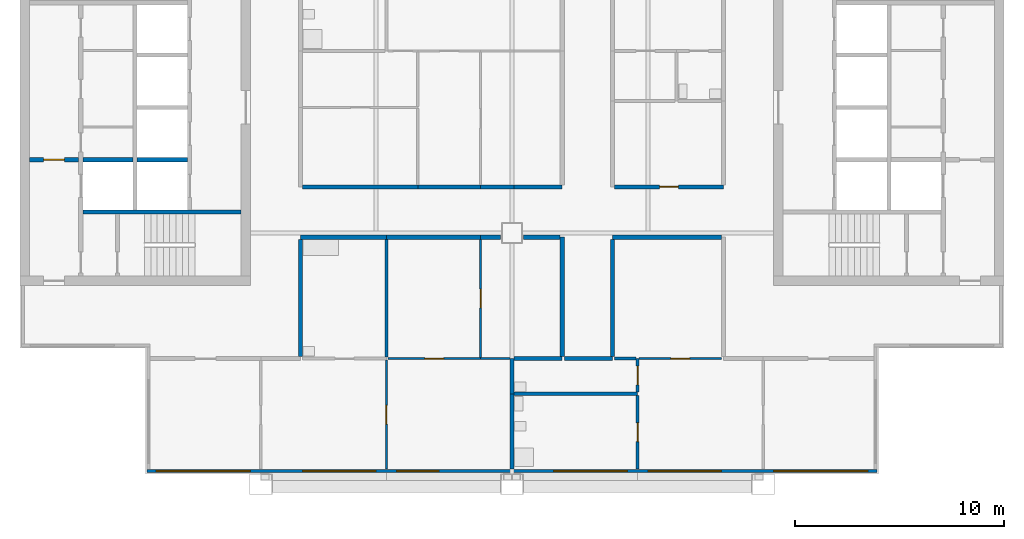
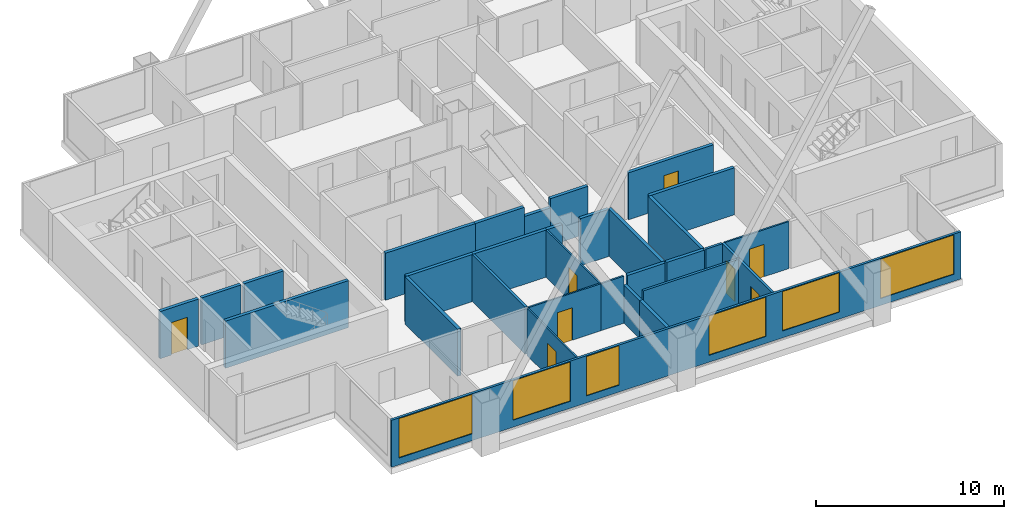
# One storey, part 2 of 9: 32 walls, 8 doors, 6 windows, 14 openings.
"""IFC4 building model written with IfcOpenShell, lengths in metres."""

from ifc_helpers import new_model, si_unit, direction, frame, frame_2d, origin, place, context, subcontext, project, spatial, rectangle, extrude, material, layer, layer_set, type_object, element, fill, save


model = new_model("IFC4")

# Units and contexts
model_context = context("Model", 3, precision=1e-05, world=origin(), true_north=direction((0.0, 1.0)))
body_context = subcontext(model_context, "Body", "Model", "MODEL_VIEW")
ifc_project = project(units=[si_unit("LENGTHUNIT", "METRE"), si_unit("AREAUNIT", "SQUARE_METRE"), si_unit("VOLUMEUNIT", "CUBIC_METRE"), si_unit("PLANEANGLEUNIT", "RADIAN"), si_unit("MASSUNIT", "GRAM", prefix="KILO")], contexts=[model_context])

# Site, building, storey
site_placement = place(None, origin())
site = spatial("IfcSite", under=ifc_project, at=site_placement, CompositionType="ELEMENT")
building_placement = place(site_placement, origin())
building = spatial("IfcBuilding", under=site, at=building_placement, Name="Kitamizu Gate Tower and Museum", CompositionType="ELEMENT")
storey_placement = place(building_placement, frame((0.0, 0.0, 217.949951171875)))
storey = spatial("IfcBuildingStorey", under=building, at=storey_placement, Name="L58", CompositionType="ELEMENT", Elevation=217.949951171875)

# Wall, opening, door
ifc_material_1 = material(Name="Gypsum board on galvanised stud")
ifc_layer_1 = layer(ifc_material_1, 0.10009765625)
ifc_layer_set_1 = layer_set([ifc_layer_1], Name="Gypsum board on galvanised stud")
wall_type_1 = type_object("IfcWallType", Name="Partition 100 NOT RATED", PredefinedType="PARTITIONING", material=ifc_layer_set_1)
wall_1_placement = place(storey_placement, frame((30.0, 12.719970703125, 0.0), z_axis=(0.0, 0.0, 1.0), x_axis=(0.0, 1.0, 0.0)))
wall_1 = element("IfcWall", 1, at=wall_1_placement, inside=storey, type_object=wall_type_1, Name="Partition L58-003", PredefinedType="PARTITIONING", context=body_context, shape_type="SweptSolid", body=[
    extrude(rectangle(XDim=5.205078125, YDim=0.10009765625, at=frame_2d((2.6025390625, 0.0))), origin(), (0.0, 0.0, 1.0), 3.050048828125),
])
opening_1_placement = place(wall_1_placement, frame((2.152587890625, 0.0, 0.0)))
opening_1 = element("IfcOpeningElement", 2, at=opening_1_placement, cuts=wall_1, Name="Opening L58-003", PredefinedType="OPENING", context=body_context, shape_type="SweptSolid", body=[
    extrude(rectangle(XDim=0.89990234375, YDim=2.10009765625, at=frame_2d((0.449951171875, 1.050048828125))), frame((0.0, 0.06005859375, 0.0), z_axis=(0.0, -1.0, 0.0), x_axis=(1.0, 0.0, 0.0)), (0.0, 0.0, 1.0), 0.1201171875),
])
ifc_material_2 = material(Name="Timber door set", Category="wood")
door_type_1 = type_object("IfcDoorType", Name="Room door 900", OperationType="NOTDEFINED", PredefinedType="DOOR", material=ifc_material_2)
door_1_placement = place(opening_1_placement, origin())
door_1 = element("IfcDoor", 3, at=door_1_placement, inside=storey, type_object=door_type_1, Name="Door L58-003", OperationType="SINGLE_SWING_RIGHT", OverallHeight=2.10009765625, OverallWidth=0.89990234375, PredefinedType="DOOR", context=body_context, shape_type="SweptSolid", body=[
    extrude(rectangle(XDim=0.89990234375, YDim=2.10009765625, at=frame_2d((0.449951171875, 1.050048828125))), frame((0.0, 0.02490234375, 0.0), z_axis=(0.0, -1.0, 0.0), x_axis=(1.0, 0.0, 0.0)), (0.0, 0.0, 1.0), 0.050048828125),
])
fill(opening_1, door_1)

wall_2_placement = place(storey_placement, frame((34.5, 18.0, 0.0), z_axis=(0.0, 0.0, 1.0), x_axis=(-1.0, 0.0, 0.0)))
wall_2 = element("IfcWall", 4, at=wall_2_placement, inside=storey, type_object=wall_type_1, Name="Partition L58-006", PredefinedType="PARTITIONING", context=body_context, shape_type="SweptSolid", body=[
    extrude(rectangle(XDim=4.425048828125, YDim=0.10009765625, at=frame_2d((2.21240234375, 0.0))), origin(), (0.0, 0.0, 1.0), 3.050048828125),
])
opening_2_placement = place(wall_2_placement, frame((1.762451171875, 0.0, 0.0)))
opening_2 = element("IfcOpeningElement", 5, at=opening_2_placement, cuts=wall_2, Name="Opening L58-005", PredefinedType="OPENING", context=body_context, shape_type="SweptSolid", body=[
    extrude(rectangle(XDim=0.89990234375, YDim=2.10009765625, at=frame_2d((0.449951171875, 1.050048828125))), frame((0.0, 0.06005859375, 0.0), z_axis=(0.0, -1.0, 0.0), x_axis=(1.0, 0.0, 0.0)), (0.0, 0.0, 1.0), 0.1201171875),
])
door_2_placement = place(opening_2_placement, frame((0.89990234375, 0.0, 0.0), x_axis=(-1.0, 0.0, 0.0)))
door_2 = element("IfcDoor", 6, at=door_2_placement, inside=storey, type_object=door_type_1, Name="Door L58-005", OperationType="SINGLE_SWING_LEFT", OverallHeight=2.10009765625, OverallWidth=0.89990234375, PredefinedType="DOOR", context=body_context, shape_type="SweptSolid", body=[
    extrude(rectangle(XDim=0.89990234375, YDim=2.10009765625, at=frame_2d((0.449951171875, 1.050048828125))), frame((0.0, 0.02490234375, 0.0), z_axis=(0.0, -1.0, 0.0), x_axis=(1.0, 0.0, 0.0)), (0.0, 0.0, 1.0), 0.050048828125),
])
fill(opening_2, door_2)

# Wall
wall_3_placement = place(storey_placement, frame((35.89990234375, 18.0, 0.0), z_axis=(0.0, 0.0, 1.0), x_axis=(-1.0, 0.0, 0.0)))
element("IfcWall", 7, at=wall_3_placement, inside=storey, type_object=wall_type_1, Name="Partition L58-007", PredefinedType="PARTITIONING", context=body_context, shape_type="SweptSolid", body=[
    extrude(rectangle(XDim=1.39990234375, YDim=0.10009765625, at=frame_2d((0.699951171875, 0.0))), origin(), (0.0, 0.0, 1.0), 3.050048828125),
])

# Wall, opening, door
wall_4_placement = place(storey_placement, frame((34.5, 18.050048828125, 0.0), z_axis=(0.0, 0.0, 1.0), x_axis=(0.0, 1.0, 0.0)))
wall_4 = element("IfcWall", 8, at=wall_4_placement, inside=storey, type_object=wall_type_1, Name="Partition L58-013", PredefinedType="PARTITIONING", context=body_context, shape_type="SweptSolid", body=[
    extrude(rectangle(XDim=5.64990234375, YDim=0.10009765625, at=frame_2d((2.824951171875, 0.0))), origin(), (0.0, 0.0, 1.0), 3.050048828125),
])
opening_3_placement = place(wall_4_placement, frame((2.375, 0.0, 0.0)))
opening_3 = element("IfcOpeningElement", 9, at=opening_3_placement, cuts=wall_4, Name="Opening L58-006", PredefinedType="OPENING", context=body_context, shape_type="SweptSolid", body=[
    extrude(rectangle(XDim=0.89990234375, YDim=2.10009765625, at=frame_2d((0.449951171875, 1.050048828125))), frame((0.0, 0.06005859375, 0.0), z_axis=(0.0, -1.0, 0.0), x_axis=(1.0, 0.0, 0.0)), (0.0, 0.0, 1.0), 0.1201171875),
])
door_3_placement = place(opening_3_placement, frame((0.89990234375, 0.0, 0.0), x_axis=(-1.0, 0.0, 0.0)))
door_3 = element("IfcDoor", 10, at=door_3_placement, inside=storey, type_object=door_type_1, Name="Door L58-006", OperationType="SINGLE_SWING_RIGHT", OverallHeight=2.10009765625, OverallWidth=0.89990234375, PredefinedType="DOOR", context=body_context, shape_type="SweptSolid", body=[
    extrude(rectangle(XDim=0.89990234375, YDim=2.10009765625, at=frame_2d((0.449951171875, 1.050048828125))), frame((0.0, 0.02490234375, 0.0), z_axis=(0.0, -1.0, 0.0), x_axis=(1.0, 0.0, 0.0)), (0.0, 0.0, 1.0), 0.050048828125),
])
fill(opening_3, door_3)

wall_5_placement = place(storey_placement, frame((46.0, 18.0, 0.0), z_axis=(0.0, 0.0, 1.0), x_axis=(-1.0, 0.0, 0.0)))
wall_5 = element("IfcWall", 11, at=wall_5_placement, inside=storey, type_object=wall_type_1, Name="Partition L58-025", PredefinedType="PARTITIONING", context=body_context, shape_type="SweptSolid", body=[
    extrude(rectangle(XDim=3.925048828125, YDim=0.10009765625, at=frame_2d((1.96240234375, 0.0))), origin(), (0.0, 0.0, 1.0), 3.050048828125),
])
opening_4_placement = place(wall_5_placement, frame((1.512451171875, 0.0, 0.0)))
opening_4 = element("IfcOpeningElement", 12, at=opening_4_placement, cuts=wall_5, Name="Opening L58-009", PredefinedType="OPENING", context=body_context, shape_type="SweptSolid", body=[
    extrude(rectangle(XDim=0.89990234375, YDim=2.10009765625, at=frame_2d((0.449951171875, 1.050048828125))), frame((0.0, 0.06005859375, 0.0), z_axis=(0.0, -1.0, 0.0), x_axis=(1.0, 0.0, 0.0)), (0.0, 0.0, 1.0), 0.1201171875),
])
door_4_placement = place(opening_4_placement, frame((0.89990234375, 0.0, 0.0), x_axis=(-1.0, 0.0, 0.0)))
door_4 = element("IfcDoor", 13, at=door_4_placement, inside=storey, type_object=door_type_1, Name="Door L58-009", OperationType="SINGLE_SWING_LEFT", OverallHeight=2.10009765625, OverallWidth=0.89990234375, PredefinedType="DOOR", context=body_context, shape_type="SweptSolid", body=[
    extrude(rectangle(XDim=0.89990234375, YDim=2.10009765625, at=frame_2d((0.449951171875, 1.050048828125))), frame((0.0, 0.02490234375, 0.0), z_axis=(0.0, -1.0, 0.0), x_axis=(1.0, 0.0, 0.0)), (0.0, 0.0, 1.0), 0.050048828125),
])
fill(opening_4, door_4)

# Walls
ifc_material_3 = material(Name="Gypsum board on galvanised stud")
ifc_layer_2 = layer(ifc_material_3, 0.14990234375)
ifc_layer_set_2 = layer_set([ifc_layer_2], Name="Gypsum board on galvanised stud")
wall_type_2 = type_object("IfcWallType", Name="Partition 150", PredefinedType="PARTITIONING", material=ifc_layer_set_2)
wall_6_placement = place(storey_placement, frame((30.0, 18.074951171875, 0.0), z_axis=(0.0, 0.0, 1.0), x_axis=(0.0, 1.0, 0.0)))
element("IfcWall", 14, at=wall_6_placement, inside=storey, type_object=wall_type_2, Name="Partition L58-010", PredefinedType="PARTITIONING", context=body_context, shape_type="SweptSolid", body=[
    extrude(rectangle(XDim=5.625, YDim=0.14990234375, at=frame_2d((2.8125, 0.0))), origin(), (0.0, 0.0, 1.0), 3.050048828125),
])
wall_7_placement = place(storey_placement, frame((42.0, 16.320068359375, 0.0), z_axis=(0.0, 0.0, 1.0), x_axis=(-1.0, 0.0, 0.0)))
element("IfcWall", 15, at=wall_7_placement, inside=storey, type_object=wall_type_2, Name="Partition L58-019", PredefinedType="PARTITIONING", context=body_context, shape_type="SweptSolid", body=[
    extrude(rectangle(XDim=5.89990234375, YDim=0.14990234375, at=frame_2d((2.949951171875, 0.0))), origin(), (0.0, 0.0, 1.0), 3.050048828125),
])

# Wall, opening, door
wall_8_placement = place(storey_placement, frame((42.0, 12.719970703125, 0.0), z_axis=(0.0, 0.0, 1.0), x_axis=(0.0, 1.0, 0.0)))
wall_8 = element("IfcWall", 16, at=wall_8_placement, inside=storey, type_object=wall_type_2, Name="Partition L58-020", PredefinedType="PARTITIONING", context=body_context, shape_type="SweptSolid", body=[
    extrude(rectangle(XDim=3.525146484375, YDim=0.14990234375, at=frame_2d((1.7626953125, 0.0))), origin(), (0.0, 0.0, 1.0), 3.050048828125),
])
opening_5_placement = place(wall_8_placement, frame((1.3125, 0.0, 0.0)))
opening_5 = element("IfcOpeningElement", 17, at=opening_5_placement, cuts=wall_8, Name="Opening L58-010", PredefinedType="OPENING", context=body_context, shape_type="SweptSolid", body=[
    extrude(rectangle(XDim=0.89990234375, YDim=2.10009765625, at=frame_2d((0.449951171875, 1.050048828125))), frame((0.0, 0.0849609375, 0.0), z_axis=(0.0, -1.0, 0.0), x_axis=(1.0, 0.0, 0.0)), (0.0, 0.0, 1.0), 0.169921875),
])
ifc_material_4 = material(Name="Timber door set", Category="wood")
door_type_2 = type_object("IfcDoorType", Name="Bathroom door 900", OperationType="NOTDEFINED", PredefinedType="DOOR", material=ifc_material_4)
door_5_placement = place(opening_5_placement, origin())
door_5 = element("IfcDoor", 18, at=door_5_placement, inside=storey, type_object=door_type_2, Name="Bathroom door L58-010", OperationType="SINGLE_SWING_LEFT", OverallHeight=2.10009765625, OverallWidth=0.89990234375, PredefinedType="DOOR", context=body_context, shape_type="SweptSolid", body=[
    extrude(rectangle(XDim=0.89990234375, YDim=2.10009765625, at=frame_2d((0.449951171875, 1.050048828125))), frame((0.0, 0.02490234375, 0.0), z_axis=(0.0, -1.0, 0.0), x_axis=(1.0, 0.0, 0.0)), (0.0, 0.0, 1.0), 0.050048828125),
])
fill(opening_5, door_5)

wall_9_placement = place(storey_placement, frame((42.0, 16.39501953125, 0.0), z_axis=(0.0, 0.0, 1.0), x_axis=(0.0, 1.0, 0.0)))
wall_9 = element("IfcWall", 19, at=wall_9_placement, inside=storey, type_object=wall_type_2, Name="Partition L58-021", PredefinedType="PARTITIONING", context=body_context, shape_type="SweptSolid", body=[
    extrude(rectangle(XDim=1.60498046875, YDim=0.14990234375, at=frame_2d((0.802490234375, 0.0))), origin(), (0.0, 0.0, 1.0), 3.050048828125),
])
opening_6_placement = place(wall_9_placement, frame((0.3525390625, 0.0, 0.0)))
opening_6 = element("IfcOpeningElement", 20, at=opening_6_placement, cuts=wall_9, Name="Opening L58-011", PredefinedType="OPENING", context=body_context, shape_type="SweptSolid", body=[
    extrude(rectangle(XDim=0.89990234375, YDim=2.10009765625, at=frame_2d((0.449951171875, 1.050048828125))), frame((0.0, 0.0849609375, 0.0), z_axis=(0.0, -1.0, 0.0), x_axis=(1.0, 0.0, 0.0)), (0.0, 0.0, 1.0), 0.169921875),
])
door_6_placement = place(opening_6_placement, origin())
door_6 = element("IfcDoor", 21, at=door_6_placement, inside=storey, type_object=door_type_2, Name="Bathroom door L58-011", OperationType="SINGLE_SWING_RIGHT", OverallHeight=2.10009765625, OverallWidth=0.89990234375, PredefinedType="DOOR", context=body_context, shape_type="SweptSolid", body=[
    extrude(rectangle(XDim=0.89990234375, YDim=2.10009765625, at=frame_2d((0.449951171875, 1.050048828125))), frame((0.0, 0.02490234375, 0.0), z_axis=(0.0, -1.0, 0.0), x_axis=(1.0, 0.0, 0.0)), (0.0, 0.0, 1.0), 0.050048828125),
])
fill(opening_6, door_6)

# Walls
wall_10_placement = place(storey_placement, frame((41.925048828125, 18.0, 0.0), z_axis=(0.0, 0.0, 1.0), x_axis=(-1.0, 0.0, 0.0)))
element("IfcWall", 22, at=wall_10_placement, inside=storey, type_object=wall_type_2, Name="Partition L58-022", PredefinedType="PARTITIONING", context=body_context, shape_type="SweptSolid", body=[
    extrude(rectangle(XDim=1.025146484375, YDim=0.14990234375, at=frame_2d((0.5126953125, 0.0))), origin(), (0.0, 0.0, 1.0), 3.050048828125),
])
ifc_material_5 = material(Name="Gypsum board on galvanised stud")
ifc_layer_3 = layer(ifc_material_5, 0.199951171875)
ifc_layer_set_3 = layer_set([ifc_layer_3], Name="Gypsum board on galvanised stud")
wall_type_3 = type_object("IfcWallType", Name="Partition 200", PredefinedType="PARTITIONING", material=ifc_layer_set_3)
wall_11_placement = place(storey_placement, frame((36.0, 12.719970703125, 0.0), z_axis=(0.0, 0.0, 1.0), x_axis=(0.0, 1.0, 0.0)))
element("IfcWall", 23, at=wall_11_placement, inside=storey, type_object=wall_type_3, Name="Partition L58-008", PredefinedType="PARTITIONING", context=body_context, shape_type="SweptSolid", body=[
    extrude(rectangle(XDim=3.60009765625, YDim=0.199951171875, at=frame_2d((1.800048828125, 0.0))), origin(), (0.0, 0.0, 1.0), 2.449951171875),
])
wall_12_placement = place(storey_placement, frame((36.0, 16.320068359375, 0.0), z_axis=(0.0, 0.0, 1.0), x_axis=(0.0, 1.0, 0.0)))
element("IfcWall", 24, at=wall_12_placement, inside=storey, type_object=wall_type_3, Name="Partition L58-009", PredefinedType="PARTITIONING", context=body_context, shape_type="SweptSolid", body=[
    extrude(rectangle(XDim=1.679931640625, YDim=0.199951171875, at=frame_2d((0.83984375, 0.0))), origin(), (0.0, 0.0, 1.0), 2.449951171875),
])
wall_13_placement = place(storey_placement, frame((30.0, 23.800048828125, 0.0), z_axis=(0.0, 0.0, 1.0), x_axis=(-1.0, 0.0, 0.0)))
element("IfcWall", 25, at=wall_13_placement, inside=storey, type_object=wall_type_3, Name="Partition L58-011", PredefinedType="PARTITIONING", context=body_context, shape_type="SweptSolid", body=[
    extrude(rectangle(XDim=4.10009765625, YDim=0.199951171875, at=frame_2d((2.050048828125, 0.0))), origin(), (0.0, 0.0, 1.0), 3.050048828125),
])
wall_14_placement = place(storey_placement, frame((25.89990234375, 23.699951171875, 0.0), z_axis=(0.0, 0.0, 1.0), x_axis=(0.0, -1.0, 0.0)))
element("IfcWall", 26, at=wall_14_placement, inside=storey, type_object=wall_type_3, Name="Partition L58-012", PredefinedType="PARTITIONING", context=body_context, shape_type="SweptSolid", body=[
    extrude(rectangle(XDim=5.599853515625, YDim=0.199951171875, at=frame_2d((2.7998046875, 0.0))), origin(), (0.0, 0.0, 1.0), 3.050048828125),
])
wall_15_placement = place(storey_placement, frame((34.5, 23.800048828125, 0.0), z_axis=(0.0, 0.0, 1.0), x_axis=(-1.0, 0.0, 0.0)))
element("IfcWall", 27, at=wall_15_placement, inside=storey, type_object=wall_type_3, Name="Partition L58-014", PredefinedType="PARTITIONING", context=body_context, shape_type="SweptSolid", body=[
    extrude(rectangle(XDim=4.5, YDim=0.199951171875, at=frame_2d((2.25, 0.0))), origin(), (0.0, 0.0, 1.0), 3.050048828125),
])
wall_16_placement = place(storey_placement, frame((36.10009765625, 18.0, 0.0), z_axis=(0.0, 0.0, 1.0), x_axis=(1.0, 0.0, 0.0)))
element("IfcWall", 28, at=wall_16_placement, inside=storey, type_object=wall_type_3, Name="Partition L58-015", PredefinedType="PARTITIONING", context=body_context, shape_type="SweptSolid", body=[
    extrude(rectangle(XDim=2.2998046875, YDim=0.199951171875, at=frame_2d((1.14990234375, 0.0))), origin(), (0.0, 0.0, 1.0), 3.050048828125),
])
wall_17_placement = place(storey_placement, frame((35.449951171875, 23.800048828125, 0.0), z_axis=(0.0, 0.0, 1.0), x_axis=(-1.0, 0.0, 0.0)))
element("IfcWall", 29, at=wall_17_placement, inside=storey, type_object=wall_type_3, Name="Partition L58-016", PredefinedType="PARTITIONING", context=body_context, shape_type="SweptSolid", body=[
    extrude(rectangle(XDim=0.949951171875, YDim=0.199951171875, at=frame_2d((0.47509765625, 0.0))), origin(), (0.0, 0.0, 1.0), 3.050048828125),
])
wall_18_placement = place(storey_placement, frame((38.39990234375, 18.10009765625, 0.0), z_axis=(0.0, 0.0, 1.0), x_axis=(0.0, 1.0, 0.0)))
element("IfcWall", 30, at=wall_18_placement, inside=storey, type_object=wall_type_3, Name="Partition L58-017", PredefinedType="PARTITIONING", context=body_context, shape_type="SweptSolid", body=[
    extrude(rectangle(XDim=5.699951171875, YDim=0.199951171875, at=frame_2d((2.85009765625, 0.0))), origin(), (0.0, 0.0, 1.0), 3.050048828125),
])
wall_19_placement = place(storey_placement, frame((38.300048828125, 23.800048828125, 0.0), z_axis=(0.0, 0.0, 1.0), x_axis=(-1.0, 0.0, 0.0)))
element("IfcWall", 31, at=wall_19_placement, inside=storey, type_object=wall_type_3, Name="Partition L58-018", PredefinedType="PARTITIONING", context=body_context, shape_type="SweptSolid", body=[
    extrude(rectangle(XDim=1.75, YDim=0.199951171875, at=frame_2d((0.875, 0.0))), origin(), (0.0, 0.0, 1.0), 3.050048828125),
])
wall_20_placement = place(storey_placement, frame((40.800048828125, 18.0, 0.0), z_axis=(0.0, 0.0, 1.0), x_axis=(-1.0, 0.0, 0.0)))
element("IfcWall", 32, at=wall_20_placement, inside=storey, type_object=wall_type_3, Name="Partition L58-023", PredefinedType="PARTITIONING", context=body_context, shape_type="SweptSolid", body=[
    extrude(rectangle(XDim=2.300048828125, YDim=0.199951171875, at=frame_2d((1.14990234375, 0.0))), origin(), (0.0, 0.0, 1.0), 3.050048828125),
])
wall_21_placement = place(storey_placement, frame((46.0, 23.800048828125, 0.0), z_axis=(0.0, 0.0, 1.0), x_axis=(-1.0, 0.0, 0.0)))
element("IfcWall", 33, at=wall_21_placement, inside=storey, type_object=wall_type_3, Name="Partition L58-029", PredefinedType="PARTITIONING", context=body_context, shape_type="SweptSolid", body=[
    extrude(rectangle(XDim=5.199951171875, YDim=0.199951171875, at=frame_2d((2.60009765625, 0.0))), origin(), (0.0, 0.0, 1.0), 3.050048828125),
])
wall_22_placement = place(storey_placement, frame((40.800048828125, 23.699951171875, 0.0), z_axis=(0.0, 0.0, 1.0), x_axis=(0.0, -1.0, 0.0)))
element("IfcWall", 34, at=wall_22_placement, inside=storey, type_object=wall_type_3, Name="Partition L58-030", PredefinedType="PARTITIONING", context=body_context, shape_type="SweptSolid", body=[
    extrude(rectangle(XDim=5.599853515625, YDim=0.199951171875, at=frame_2d((2.7998046875, 0.0))), origin(), (0.0, 0.0, 1.0), 3.050048828125),
])
wall_23_placement = place(storey_placement, frame((26.0, 26.199951171875, 0.0), z_axis=(0.0, 0.0, 1.0), x_axis=(1.0, 0.0, 0.0)))
element("IfcWall", 35, at=wall_23_placement, inside=storey, type_object=wall_type_3, Name="Partition L58-063", PredefinedType="PARTITIONING", context=body_context, shape_type="SweptSolid", body=[
    extrude(rectangle(XDim=5.5, YDim=0.199951171875, at=frame_2d((2.75, 0.0))), origin(), (0.0, 0.0, 1.0), 3.050048828125),
])
wall_24_placement = place(storey_placement, frame((31.5, 26.199951171875, 0.0), z_axis=(0.0, 0.0, 1.0), x_axis=(1.0, 0.0, 0.0)))
element("IfcWall", 36, at=wall_24_placement, inside=storey, type_object=wall_type_3, Name="Partition L58-067", PredefinedType="PARTITIONING", context=body_context, shape_type="SweptSolid", body=[
    extrude(rectangle(XDim=3.0, YDim=0.199951171875, at=frame_2d((1.5, 0.0))), origin(), (0.0, 0.0, 1.0), 3.050048828125),
])
wall_25_placement = place(storey_placement, frame((34.5, 26.199951171875, 0.0), z_axis=(0.0, 0.0, 1.0), x_axis=(1.0, 0.0, 0.0)))
element("IfcWall", 37, at=wall_25_placement, inside=storey, type_object=wall_type_3, Name="Partition L58-068", PredefinedType="PARTITIONING", context=body_context, shape_type="SweptSolid", body=[
    extrude(rectangle(XDim=1.60009765625, YDim=0.199951171875, at=frame_2d((0.800048828125, 0.0))), origin(), (0.0, 0.0, 1.0), 2.449951171875),
])
wall_26_placement = place(storey_placement, frame((36.10009765625, 26.199951171875, 0.0), z_axis=(0.0, 0.0, 1.0), x_axis=(1.0, 0.0, 0.0)))
element("IfcWall", 38, at=wall_26_placement, inside=storey, type_object=wall_type_3, Name="Partition L58-069", PredefinedType="PARTITIONING", context=body_context, shape_type="SweptSolid", body=[
    extrude(rectangle(XDim=2.2998046875, YDim=0.199951171875, at=frame_2d((1.14990234375, 0.0))), origin(), (0.0, 0.0, 1.0), 3.050048828125),
])

# Wall, opening, door
wall_27_placement = place(storey_placement, frame((40.89990234375, 26.199951171875, 0.0), z_axis=(0.0, 0.0, 1.0), x_axis=(1.0, 0.0, 0.0)))
wall_27 = element("IfcWall", 39, at=wall_27_placement, inside=storey, type_object=wall_type_3, Name="Partition L58-093", PredefinedType="PARTITIONING", context=body_context, shape_type="SweptSolid", body=[
    extrude(rectangle(XDim=5.2001953125, YDim=0.199951171875, at=frame_2d((2.60009765625, 0.0))), origin(), (0.0, 0.0, 1.0), 3.050048828125),
])
opening_7_placement = place(wall_27_placement, frame((2.14990234375, 0.0, 0.0)))
opening_7 = element("IfcOpeningElement", 40, at=opening_7_placement, cuts=wall_27, Name="Opening L58-033", PredefinedType="OPENING", context=body_context, shape_type="SweptSolid", body=[
    extrude(rectangle(XDim=0.89990234375, YDim=2.10009765625, at=frame_2d((0.449951171875, 1.050048828125))), frame((0.0, 0.10986328125, 0.0), z_axis=(0.0, -1.0, 0.0), x_axis=(1.0, 0.0, 0.0)), (0.0, 0.0, 1.0), 0.219970703125),
])
ifc_material_6 = material(Name="Timber door set", Category="wood")
door_type_3 = type_object("IfcDoorType", Name="Store door 900", OperationType="NOTDEFINED", PredefinedType="DOOR", material=ifc_material_6)
door_7_placement = place(opening_7_placement, origin())
door_7 = element("IfcDoor", 41, at=door_7_placement, inside=storey, type_object=door_type_3, Name="Service entrance door L58-033", OperationType="SINGLE_SWING_LEFT", OverallHeight=2.10009765625, OverallWidth=0.89990234375, PredefinedType="DOOR", context=body_context, shape_type="SweptSolid", body=[
    extrude(rectangle(XDim=0.89990234375, YDim=2.10009765625, at=frame_2d((0.449951171875, 1.050048828125))), frame((0.0, 0.02490234375, 0.0), z_axis=(0.0, -1.0, 0.0), x_axis=(1.0, 0.0, 0.0)), (0.0, 0.0, 1.0), 0.050048828125),
])
fill(opening_7, door_7)

# Wall
ifc_material_7 = material(Name="Concrete Fc42", Category="concrete")
ifc_layer_4 = layer(ifc_material_7, 0.199951171875)
ifc_layer_set_4 = layer_set([ifc_layer_4], Name="Concrete Fc42")
wall_type_4 = type_object("IfcWallType", Name="Shaft wall 200", PredefinedType="SOLIDWALL", material=ifc_layer_set_4)
wall_28_placement = place(storey_placement, frame((15.5, 25.0, 0.0), z_axis=(0.0, 0.0, 1.0), x_axis=(1.0, 0.0, 0.0)))
element("IfcWall", 42, at=wall_28_placement, inside=storey, type_object=wall_type_4, Name="Shaft wall WSB", PredefinedType="SOLIDWALL", context=body_context, shape_type="SweptSolid", body=[
    extrude(rectangle(XDim=7.550048828125, YDim=0.199951171875, at=frame_2d((3.77490234375, 0.0))), origin(), (0.0, 0.0, 1.0), 3.050048828125),
])

# Wall, opening, door
wall_29_placement = place(storey_placement, frame((12.949951171875, 27.5, 0.0), z_axis=(0.0, 0.0, 1.0), x_axis=(1.0, 0.0, 0.0)))
wall_29 = element("IfcWall", 43, at=wall_29_placement, inside=storey, type_object=wall_type_4, Name="Shaft wall WFFN", PredefinedType="SOLIDWALL", context=body_context, shape_type="SweptSolid", body=[
    extrude(rectangle(XDim=2.35009765625, YDim=0.199951171875, at=frame_2d((1.175048828125, 0.0))), origin(), (0.0, 0.0, 1.0), 3.050048828125),
])
opening_8_placement = place(wall_29_placement, frame((0.675048828125, 0.0, 0.0)))
opening_8 = element("IfcOpeningElement", 44, at=opening_8_placement, cuts=wall_29, Name="Opening L58-038", PredefinedType="OPENING", context=body_context, shape_type="SweptSolid", body=[
    extrude(rectangle(XDim=1.0, YDim=2.10009765625, at=frame_2d((0.5, 1.050048828125))), frame((0.0, 0.10986328125, 0.0), z_axis=(0.0, -1.0, 0.0), x_axis=(1.0, 0.0, 0.0)), (0.0, 0.0, 1.0), 0.219970703125),
])
ifc_material_8 = material(Name="Hollow metal door set")
door_type_4 = type_object("IfcDoorType", Name="Fire door 1000", OperationType="NOTDEFINED", PredefinedType="DOOR", material=ifc_material_8)
door_8_placement = place(opening_8_placement, frame((1.0, 0.0, 0.0), x_axis=(-1.0, 0.0, 0.0)))
door_8 = element("IfcDoor", 45, at=door_8_placement, inside=storey, type_object=door_type_4, Name="Fire-fighting lobby door L58-038", OperationType="SINGLE_SWING_LEFT", OverallHeight=2.10009765625, OverallWidth=1.0, PredefinedType="DOOR", context=body_context, shape_type="SweptSolid", body=[
    extrude(rectangle(XDim=1.0, YDim=2.10009765625, at=frame_2d((0.5, 1.050048828125))), frame((0.0, 0.02490234375, 0.0), z_axis=(0.0, -1.0, 0.0), x_axis=(1.0, 0.0, 0.0)), (0.0, 0.0, 1.0), 0.050048828125),
])
fill(opening_8, door_8)

# Walls
for number, where, z_axis, x_axis, name in (
    (46, (15.5, 27.5, 0.0), (0.0, 0.0, 1.0), (1.0, 0.0, 0.0), "Shaft wall WDVW0"),
    (47, (18.10009765625, 27.5, 0.0), (0.0, 0.0, 1.0), (1.0, 0.0, 0.0), "Shaft wall WDVE0"),
):
    element("IfcWall", number, at=place(storey_placement, frame(where, z_axis=z_axis, x_axis=x_axis)), inside=storey, type_object=wall_type_4, Name=name, PredefinedType="SOLIDWALL", context=body_context, shape_type="SweptSolid", body=[
        extrude(rectangle(XDim=2.39990234375, YDim=0.199951171875, at=frame_2d((1.199951171875, 0.0))), origin(), (0.0, 0.0, 1.0), 3.050048828125),
    ])

# Wall, openings, windows
ifc_material_9 = material(Name="Bronze anodised aluminium frame with insulated spandrel and tinted glass", Category="aluminium")
ifc_layer_5 = layer(ifc_material_9, 0.14990234375)
ifc_layer_set_5 = layer_set([ifc_layer_5], Name="Bronze anodised aluminium frame with insulated spandrel and tinted glass")
wall_type_5 = type_object("IfcWallType", Name="WINDOW WALL 150 BRONZE FRAME EI 30", PredefinedType="ELEMENTEDWALL", material=ifc_layer_set_5)
wall_30_placement = place(storey_placement, frame((18.56005859375, 12.635009765625, 0.0), z_axis=(0.0, 0.0, 1.0), x_axis=(1.0, 0.0, 0.0)))
wall_30 = element("IfcWall", 48, at=wall_30_placement, inside=storey, type_object=wall_type_5, Name="Window wall south L58", PredefinedType="ELEMENTEDWALL", context=body_context, shape_type="SweptSolid", body=[
    extrude(rectangle(XDim=34.8798828125, YDim=0.14990234375, at=frame_2d((17.43994140625, 0.0))), origin(), (0.0, 0.0, 1.0), 3.050048828125),
])
opening_9_placement = place(wall_30_placement, frame((0.43994140625, 0.0, 0.449951171875)))
opening_9 = element("IfcOpeningElement", 49, at=opening_9_placement, cuts=wall_30, Name="Opening W15", PredefinedType="OPENING", context=body_context, shape_type="SweptSolid", body=[
    extrude(rectangle(XDim=4.5, YDim=2.550048828125, at=frame_2d((2.25, 1.27490234375))), frame((0.0, 0.0849609375, 0.0), z_axis=(0.0, -1.0, 0.0), x_axis=(1.0, 0.0, 0.0)), (0.0, 0.0, 1.0), 0.169921875),
])
opening_10_placement = place(wall_30_placement, frame((7.43994140625, 0.0, 0.449951171875)))
opening_10 = element("IfcOpeningElement", 50, at=opening_10_placement, cuts=wall_30, Name="Opening W35", PredefinedType="OPENING", context=body_context, shape_type="SweptSolid", body=[
    extrude(rectangle(XDim=3.5, YDim=2.550048828125, at=frame_2d((1.75, 1.27490234375))), frame((0.0, 0.0849609375, 0.0), z_axis=(0.0, -1.0, 0.0), x_axis=(1.0, 0.0, 0.0)), (0.0, 0.0, 1.0), 0.169921875),
])
opening_11_placement = place(wall_30_placement, frame((11.93994140625, 0.0, 0.449951171875)))
opening_11 = element("IfcOpeningElement", 51, at=opening_11_placement, cuts=wall_30, Name="Opening W2", PredefinedType="OPENING", context=body_context, shape_type="SweptSolid", body=[
    extrude(rectangle(XDim=2.0, YDim=2.550048828125, at=frame_2d((1.0, 1.27490234375))), frame((0.0, 0.0849609375, 0.0), z_axis=(0.0, -1.0, 0.0), x_axis=(1.0, 0.0, 0.0)), (0.0, 0.0, 1.0), 0.169921875),
])
opening_12_placement = place(wall_30_placement, frame((19.43994140625, 0.0, 0.449951171875)))
opening_12 = element("IfcOpeningElement", 52, at=opening_12_placement, cuts=wall_30, Name="Opening W35", PredefinedType="OPENING", context=body_context, shape_type="SweptSolid", body=[
    extrude(rectangle(XDim=3.5, YDim=2.550048828125, at=frame_2d((1.75, 1.27490234375))), frame((0.0, 0.0849609375, 0.0), z_axis=(0.0, -1.0, 0.0), x_axis=(1.0, 0.0, 0.0)), (0.0, 0.0, 1.0), 0.169921875),
])
opening_13_placement = place(wall_30_placement, frame((23.93994140625, 0.0, 0.449951171875)))
opening_13 = element("IfcOpeningElement", 53, at=opening_13_placement, cuts=wall_30, Name="Opening W35", PredefinedType="OPENING", context=body_context, shape_type="SweptSolid", body=[
    extrude(rectangle(XDim=3.5, YDim=2.550048828125, at=frame_2d((1.75, 1.27490234375))), frame((0.0, 0.0849609375, 0.0), z_axis=(0.0, -1.0, 0.0), x_axis=(1.0, 0.0, 0.0)), (0.0, 0.0, 1.0), 0.169921875),
])
opening_14_placement = place(wall_30_placement, frame((29.93994140625, 0.0, 0.449951171875)))
opening_14 = element("IfcOpeningElement", 54, at=opening_14_placement, cuts=wall_30, Name="Opening W15", PredefinedType="OPENING", context=body_context, shape_type="SweptSolid", body=[
    extrude(rectangle(XDim=4.5, YDim=2.550048828125, at=frame_2d((2.25, 1.27490234375))), frame((0.0, 0.0849609375, 0.0), z_axis=(0.0, -1.0, 0.0), x_axis=(1.0, 0.0, 0.0)), (0.0, 0.0, 1.0), 0.169921875),
])
ifc_material_10 = material(Name="Bronze anodised aluminium frame, tinted triple glazing", Category="aluminium")
window_type_1 = type_object("IfcWindowType", Name="WINDOW 2000 x 2550 SILL 450", PartitioningType="SINGLE_PANEL", PredefinedType="WINDOW", material=ifc_material_10)
window_1_placement = place(opening_11_placement, origin())
window_1 = element("IfcWindow", 55, at=window_1_placement, inside=storey, type_object=window_type_1, Name="Window W2 L58", OverallHeight=2.550048828125, OverallWidth=2.0, PartitioningType="SINGLE_PANEL", PredefinedType="WINDOW", context=body_context, shape_type="SweptSolid", body=[
    extrude(rectangle(XDim=2.0, YDim=2.550048828125, at=frame_2d((1.0, 1.27490234375))), frame((0.0, 0.030029296875, 0.0), z_axis=(0.0, -1.0, 0.0), x_axis=(1.0, 0.0, 0.0)), (0.0, 0.0, 1.0), 0.06005859375),
])
fill(opening_11, window_1)
ifc_material_11 = material(Name="Bronze anodised aluminium frame, tinted triple glazing", Category="aluminium")
window_type_2 = type_object("IfcWindowType", Name="WINDOW 3500 x 2550 SILL 450", PartitioningType="SINGLE_PANEL", PredefinedType="WINDOW", material=ifc_material_11)
window_2_placement = place(opening_10_placement, origin())
window_2 = element("IfcWindow", 56, at=window_2_placement, inside=storey, type_object=window_type_2, Name="Window W35 L58", OverallHeight=2.550048828125, OverallWidth=3.5, PartitioningType="SINGLE_PANEL", PredefinedType="WINDOW", context=body_context, shape_type="SweptSolid", body=[
    extrude(rectangle(XDim=3.5, YDim=2.550048828125, at=frame_2d((1.75, 1.27490234375))), frame((0.0, 0.030029296875, 0.0), z_axis=(0.0, -1.0, 0.0), x_axis=(1.0, 0.0, 0.0)), (0.0, 0.0, 1.0), 0.06005859375),
])
fill(opening_10, window_2)
window_3_placement = place(opening_12_placement, origin())
window_3 = element("IfcWindow", 57, at=window_3_placement, inside=storey, type_object=window_type_2, Name="Window W35 L58", OverallHeight=2.550048828125, OverallWidth=3.5, PartitioningType="SINGLE_PANEL", PredefinedType="WINDOW", context=body_context, shape_type="SweptSolid", body=[
    extrude(rectangle(XDim=3.5, YDim=2.550048828125, at=frame_2d((1.75, 1.27490234375))), frame((0.0, 0.030029296875, 0.0), z_axis=(0.0, -1.0, 0.0), x_axis=(1.0, 0.0, 0.0)), (0.0, 0.0, 1.0), 0.06005859375),
])
fill(opening_12, window_3)
window_4_placement = place(opening_13_placement, origin())
window_4 = element("IfcWindow", 58, at=window_4_placement, inside=storey, type_object=window_type_2, Name="Window W35 L58", OverallHeight=2.550048828125, OverallWidth=3.5, PartitioningType="SINGLE_PANEL", PredefinedType="WINDOW", context=body_context, shape_type="SweptSolid", body=[
    extrude(rectangle(XDim=3.5, YDim=2.550048828125, at=frame_2d((1.75, 1.27490234375))), frame((0.0, 0.030029296875, 0.0), z_axis=(0.0, -1.0, 0.0), x_axis=(1.0, 0.0, 0.0)), (0.0, 0.0, 1.0), 0.06005859375),
])
fill(opening_13, window_4)
ifc_material_12 = material(Name="Bronze anodised aluminium frame, tinted triple glazing", Category="aluminium")
window_type_3 = type_object("IfcWindowType", Name="WINDOW 4500 x 2550 SILL 450", PartitioningType="SINGLE_PANEL", PredefinedType="WINDOW", material=ifc_material_12)
window_5_placement = place(opening_9_placement, origin())
window_5 = element("IfcWindow", 59, at=window_5_placement, inside=storey, type_object=window_type_3, Name="Window W15 L58", OverallHeight=2.550048828125, OverallWidth=4.5, PartitioningType="SINGLE_PANEL", PredefinedType="WINDOW", context=body_context, shape_type="SweptSolid", body=[
    extrude(rectangle(XDim=4.5, YDim=2.550048828125, at=frame_2d((2.25, 1.27490234375))), frame((0.0, 0.030029296875, 0.0), z_axis=(0.0, -1.0, 0.0), x_axis=(1.0, 0.0, 0.0)), (0.0, 0.0, 1.0), 0.06005859375),
])
fill(opening_9, window_5)
window_6_placement = place(opening_14_placement, origin())
window_6 = element("IfcWindow", 60, at=window_6_placement, inside=storey, type_object=window_type_3, Name="Window W15 L58", OverallHeight=2.550048828125, OverallWidth=4.5, PartitioningType="SINGLE_PANEL", PredefinedType="WINDOW", context=body_context, shape_type="SweptSolid", body=[
    extrude(rectangle(XDim=4.5, YDim=2.550048828125, at=frame_2d((2.25, 1.27490234375))), frame((0.0, 0.030029296875, 0.0), z_axis=(0.0, -1.0, 0.0), x_axis=(1.0, 0.0, 0.0)), (0.0, 0.0, 1.0), 0.06005859375),
])
fill(opening_14, window_6)

save(model, "model.ifc")
